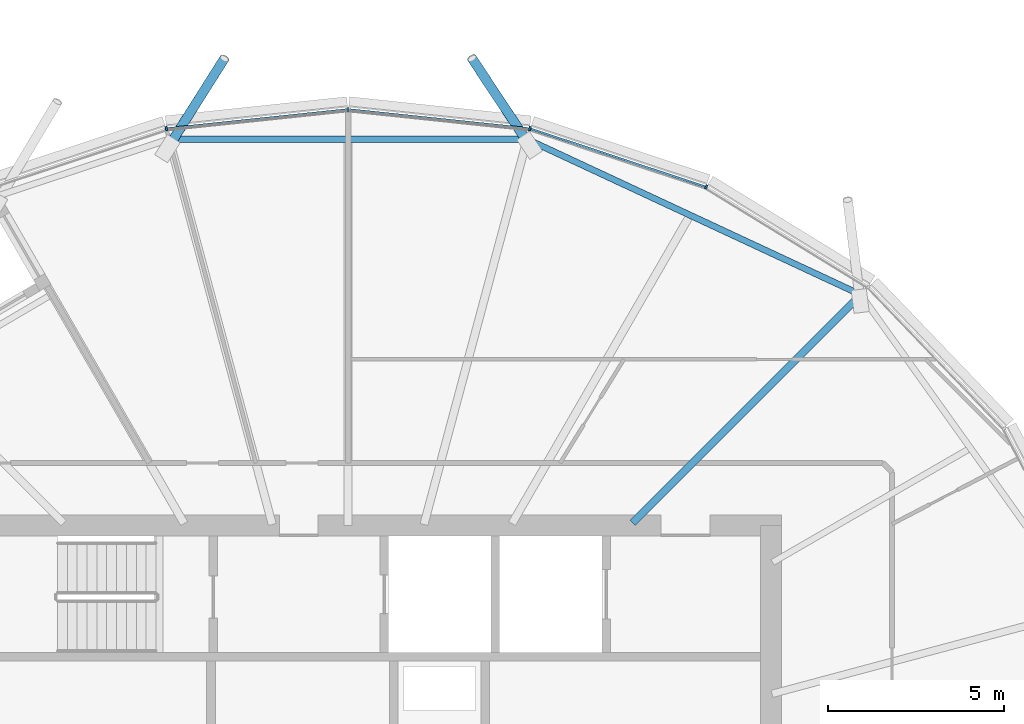
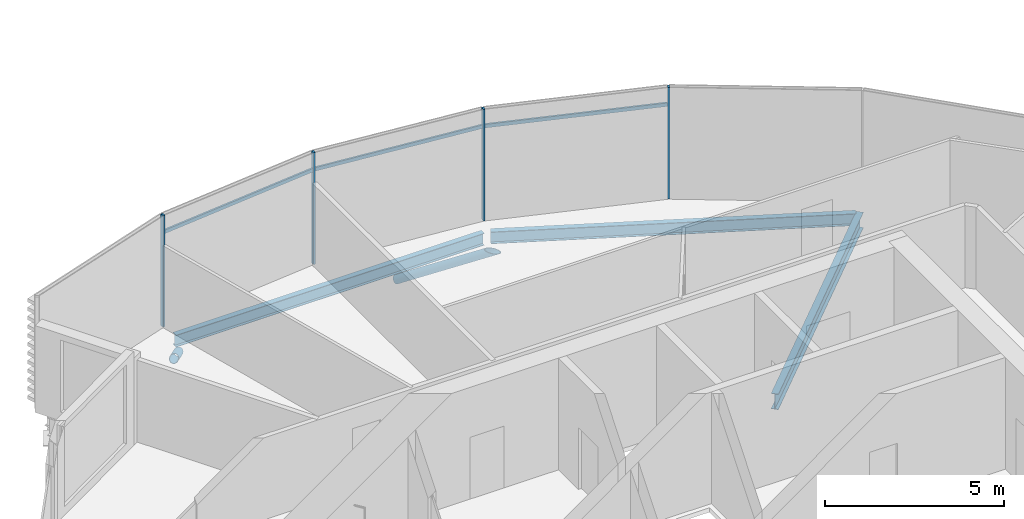
# One storey, part 9 of 37: 9 members, 3 beams, 1 element without a shape of its own.
"""IFC4 building model written with IfcOpenShell, lengths in metres."""

from ifc_helpers import new_model, si_unit, direction, frame, origin, origin_2d, place, context, subcontext, project, spatial, rectangle, hollow_circle, i_section, extrude, clip, halfspace, material, material_profile, profile_set, type_object, element, aggregate, save


model = new_model("IFC4")

# Units and contexts
model_context = context("Model", 3, precision=1e-05, world=origin(), true_north=direction((0.0, 1.0)))
body_context = subcontext(model_context, "Body", "Model", "MODEL_VIEW")
ifc_project = project(units=[si_unit("LENGTHUNIT", "METRE"), si_unit("AREAUNIT", "SQUARE_METRE"), si_unit("VOLUMEUNIT", "CUBIC_METRE"), si_unit("PLANEANGLEUNIT", "RADIAN"), si_unit("MASSUNIT", "GRAM", prefix="KILO")], contexts=[model_context])

# Site, building, storey
site_placement = place(None, origin())
site = spatial("IfcSite", under=ifc_project, at=site_placement, CompositionType="ELEMENT")
building_placement = place(site_placement, origin())
building = spatial("IfcBuilding", under=site, at=building_placement, Name="Rimbun Link Towers", CompositionType="ELEMENT")
storey_placement = place(building_placement, frame((0.0, 0.0, 177.89990234375)))
storey = spatial("IfcBuildingStorey", under=building, at=storey_placement, Name="L43", CompositionType="ELEMENT", Elevation=177.89990234375)

# Curtain wall, members
ifc_material_1 = material(Name="Aluminium 6063-T6 and low-iron glass", Category="aluminium")
curtain_wall_type = type_object("IfcCurtainWallType", Name="CW1-Z3 unitised vision wall (zone 3)", PredefinedType="NOTDEFINED", material=ifc_material_1)
curtain_wall_placement = place(storey_placement, origin())
curtain_wall = element("IfcCurtainWall", 1, at=curtain_wall_placement, inside=storey, type_object=curtain_wall_type, Name="CW1 L43 T1", PredefinedType="NOTDEFINED")
ifc_material_2 = material(Name="Aluminium 6063-T6", Category="aluminium")
ifc_material_profile_1 = material_profile(ifc_material_2, rectangle(XDim=0.1201171875, YDim=0.06005859375, at=origin_2d()), Name="MULLION 60X120")
ifc_profile_set_1 = profile_set([ifc_material_profile_1], Name="Aluminium 6063-T6")
member_type_1 = type_object("IfcMemberType", Name="CW1 mullion 60X120", PredefinedType="MULLION", material=ifc_profile_set_1)
member_1_placement = place(storey_placement, frame((-21.590087890625, 17.60791015625, 0.0), z_axis=(0.0, 0.0, 1.0), x_axis=(0.421696857655, 0.906736874867, 0.0)))
member_1 = element("IfcMember", 2, at=member_1_placement, type_object=member_type_1, Name="CW1 mullion", PredefinedType="MULLION", context=body_context, shape_type="SweptSolid", body=[
    extrude(rectangle(XDim=0.1201171875, YDim=0.06005859375, at=origin_2d()), origin(), (0.0, 0.0, 1.0), 3.800048828125),
])
member_2_placement = place(storey_placement, frame((-26.591064453125, 19.26513671875, 0.0), z_axis=(0.0, 0.0, 1.0), x_axis=(0.21086664913, 0.977514836862, 0.0)))
member_2 = element("IfcMember", 3, at=member_2_placement, type_object=member_type_1, Name="CW1 mullion", PredefinedType="MULLION", context=body_context, shape_type="SweptSolid", body=[
    extrude(rectangle(XDim=0.1201171875, YDim=0.06005859375, at=origin_2d()), origin(), (0.0, 0.0, 1.0), 3.800048828125),
])
member_3_placement = place(storey_placement, frame((-31.75, 19.80859375, 0.0), z_axis=(0.0, 0.0, 1.0), x_axis=(0.0, 1.0, 0.0)))
member_3 = element("IfcMember", 4, at=member_3_placement, type_object=member_type_1, Name="CW1 mullion", PredefinedType="MULLION", context=body_context, shape_type="SweptSolid", body=[
    extrude(rectangle(XDim=0.1201171875, YDim=0.06005859375, at=origin_2d()), origin(), (0.0, 0.0, 1.0), 3.800048828125),
])
member_4_placement = place(storey_placement, frame((-36.908935546875, 19.26513671875, 0.0), z_axis=(0.0, 0.0, 1.0), x_axis=(-0.21086664913, 0.977514836862, 0.0)))
member_4 = element("IfcMember", 5, at=member_4_placement, type_object=member_type_1, Name="CW1 mullion", PredefinedType="MULLION", context=body_context, shape_type="SweptSolid", body=[
    extrude(rectangle(XDim=0.1201171875, YDim=0.06005859375, at=origin_2d()), origin(), (0.0, 0.0, 1.0), 3.800048828125),
])
ifc_material_3 = material(Name="Aluminium 6063-T6", Category="aluminium")
ifc_material_profile_2 = material_profile(ifc_material_3, rectangle(XDim=0.06005859375, YDim=0.1201171875, at=origin_2d()), Name="TRANSOM 60X120")
ifc_profile_set_2 = profile_set([ifc_material_profile_2], Name="Aluminium 6063-T6")
member_type_2 = type_object("IfcMemberType", Name="CW1 transom 60X120", PredefinedType="USERDEFINED", material=ifc_profile_set_2)
member_5_placement = place(storey_placement, frame((-26.556884765625, 19.252197265625, 3.2001953125), z_axis=(0.949241076182, -0.314549486231, 0.0), x_axis=(0.314549486231, 0.949241076182, 0.0)))
member_5 = element("IfcMember", 6, at=member_5_placement, type_object=member_type_2, Name="CW1 transom", ObjectType="TRANSOM", PredefinedType="USERDEFINED", context=body_context, shape_type="SweptSolid", body=[
    extrude(rectangle(XDim=0.06005859375, YDim=0.1201171875, at=origin_2d()), origin(), (0.0, 0.0, 1.0), 5.19482421875),
])
member_6_placement = place(storey_placement, frame((-31.714111328125, 19.80322265625, 3.2001953125), z_axis=(0.994496295036, -0.104771747905, 0.0), x_axis=(0.104771747905, 0.994496295036, 0.0)))
member_6 = element("IfcMember", 7, at=member_6_placement, type_object=member_type_2, Name="CW1 transom", ObjectType="TRANSOM", PredefinedType="USERDEFINED", context=body_context, shape_type="SweptSolid", body=[
    extrude(rectangle(XDim=0.06005859375, YDim=0.1201171875, at=origin_2d()), origin(), (0.0, 0.0, 1.0), 5.11474609375),
])
member_7_placement = place(storey_placement, frame((-36.87255859375, 19.267333984375, 3.2001953125), z_axis=(0.994496295036, 0.104771747905, 0.0), x_axis=(-0.104771747905, 0.994496295036, 0.0)))
member_7 = element("IfcMember", 8, at=member_7_placement, type_object=member_type_2, Name="CW1 transom", ObjectType="TRANSOM", PredefinedType="USERDEFINED", context=body_context, shape_type="SweptSolid", body=[
    extrude(rectangle(XDim=0.06005859375, YDim=0.1201171875, at=origin_2d()), origin(), (0.0, 0.0, 1.0), 5.11474609375),
])
aggregate(curtain_wall, [member_1, member_2, member_3, member_4, member_5, member_6, member_7])

# Members
ifc_material_4 = material(Name="Steel S355J2H", Category="steel")
ifc_material_profile_3 = material_profile(ifc_material_4, hollow_circle(Radius=0.136474609375, WallThickness=0.012451171875, at=origin_2d()), Name="CHS 273x12.5")
ifc_profile_set_3 = profile_set([ifc_material_profile_3], Name="Steel S355J2H")
member_type_3 = type_object("IfcMemberType", Name="Floor edge link CHS 273x12.5", PredefinedType="BRACE", material=ifc_profile_set_3)
member_8_placement = place(storey_placement, frame((-26.68212890625, 18.913818359375, -0.867919921875), z_axis=(-0.466176368743, 0.704006566256, -0.535774530837), x_axis=(-0.833774286505, -0.552105460183, 0.0)))
element("IfcMember", 9, at=member_8_placement, inside=storey, type_object=member_type_3, Name="Floor edge link T1 L43 05", PredefinedType="BRACE", context=body_context, shape_type="Clipping", body=[
    clip(extrude(hollow_circle(Radius=0.136474609375, WallThickness=0.012451171875, at=origin_2d()), frame((0.0, 0.0, -0.44873046875)), (0.0, 0.0, 1.0), 3.79541015625), halfspace(frame((0.0, 0.0, -0.211669921875), z_axis=(0.0, 0.844361091066, -0.535774530837)), False)),
])
member_9_placement = place(storey_placement, frame((-36.794677734375, 18.826904296875, -0.868408203125), z_axis=(0.45366720349, 0.717617724386, -0.528404078451), x_axis=(-0.845257518622, 0.53435917435, 0.0)))
element("IfcMember", 10, at=member_9_placement, inside=storey, type_object=member_type_3, Name="Floor edge link T1 L43 07", PredefinedType="BRACE", context=body_context, shape_type="Clipping", body=[
    clip(extrude(hollow_circle(Radius=0.136474609375, WallThickness=0.012451171875, at=origin_2d()), frame((0.0, 0.0, -0.45751953125)), (0.0, 0.0, 1.0), 3.85498046875), halfspace(frame((0.0, 0.0, -0.215576171875), z_axis=(0.0, 0.848993009321, -0.528404078451)), False)),
])

# Beams
ifc_material_5 = material(Name="Steel S355J2", Category="steel")
ifc_material_profile_4 = material_profile(ifc_material_5, i_section(OverallWidth=0.177978515625, OverallDepth=0.406494140625, WebThickness=0.0078125, FlangeThickness=0.0126953125, at=origin_2d()), Name="UB 406x178x60")
ifc_profile_set_4 = profile_set([ifc_material_profile_4], Name="Steel S355J2")
beam_type_1 = type_object("IfcBeamType", Name="UB 406x178x60", PredefinedType="BEAM", material=ifc_profile_set_4)
beam_1_placement = place(storey_placement, frame((-17.30224609375, 14.596923828125, -0.35302734375), z_axis=(-0.906407653758, 0.422404030768, 0.0), x_axis=(-0.422404030768, -0.906407653758, 0.0)))
element("IfcBeam", 11, at=beam_1_placement, inside=storey, type_object=beam_type_1, Name="Edge beam T1 L43 03-05", PredefinedType="BEAM", context=body_context, shape_type="SweptSolid", body=[
    extrude(i_section(OverallWidth=0.177978515625, OverallDepth=0.406494140625, WebThickness=0.0078125, FlangeThickness=0.0126953125, at=origin_2d()), origin(), (0.0, 0.0, 1.0), 10.217529296875),
])
beam_2_placement = place(storey_placement, frame((-26.787841796875, 18.962158203125, -0.35302734375), z_axis=(-1.0, 0.0, 0.0), x_axis=(0.0, -1.0, 0.0)))
element("IfcBeam", 12, at=beam_2_placement, inside=storey, type_object=beam_type_1, Name="Edge beam T1 L43 05-07", PredefinedType="BEAM", context=body_context, shape_type="SweptSolid", body=[
    extrude(i_section(OverallWidth=0.177978515625, OverallDepth=0.406494140625, WebThickness=0.0078125, FlangeThickness=0.0126953125, at=origin_2d()), origin(), (0.0, 0.0, 1.0), 9.92431640625),
])
ifc_material_6 = material(Name="Steel S355J2", Category="steel")
ifc_material_profile_5 = material_profile(ifc_material_6, i_section(OverallWidth=0.209228515625, OverallDepth=0.533203125, WebThickness=0.010009765625, FlangeThickness=0.015625, at=origin_2d()), Name="UB 533x210x92")
ifc_profile_set_5 = profile_set([ifc_material_profile_5], Name="Steel S355J2")
beam_type_2 = type_object("IfcBeamType", Name="UB 533x210x92", PredefinedType="BEAM", material=ifc_profile_set_5)
beam_3_placement = place(storey_placement, frame((-23.67529296875, 8.07470703125, -0.41650390625), z_axis=(0.707106781187, 0.707106781187, 0.0), x_axis=(-0.707106781187, 0.707106781187, 0.0)))
element("IfcBeam", 13, at=beam_3_placement, inside=storey, type_object=beam_type_2, Name="Radial beam T1 L43 03", PredefinedType="BEAM", context=body_context, shape_type="SweptSolid", body=[
    extrude(i_section(OverallWidth=0.209228515625, OverallDepth=0.533203125, WebThickness=0.010009765625, FlangeThickness=0.015625, at=origin_2d()), origin(), (0.0, 0.0, 1.0), 9.15673828125),
])

save(model, "model.ifc")
